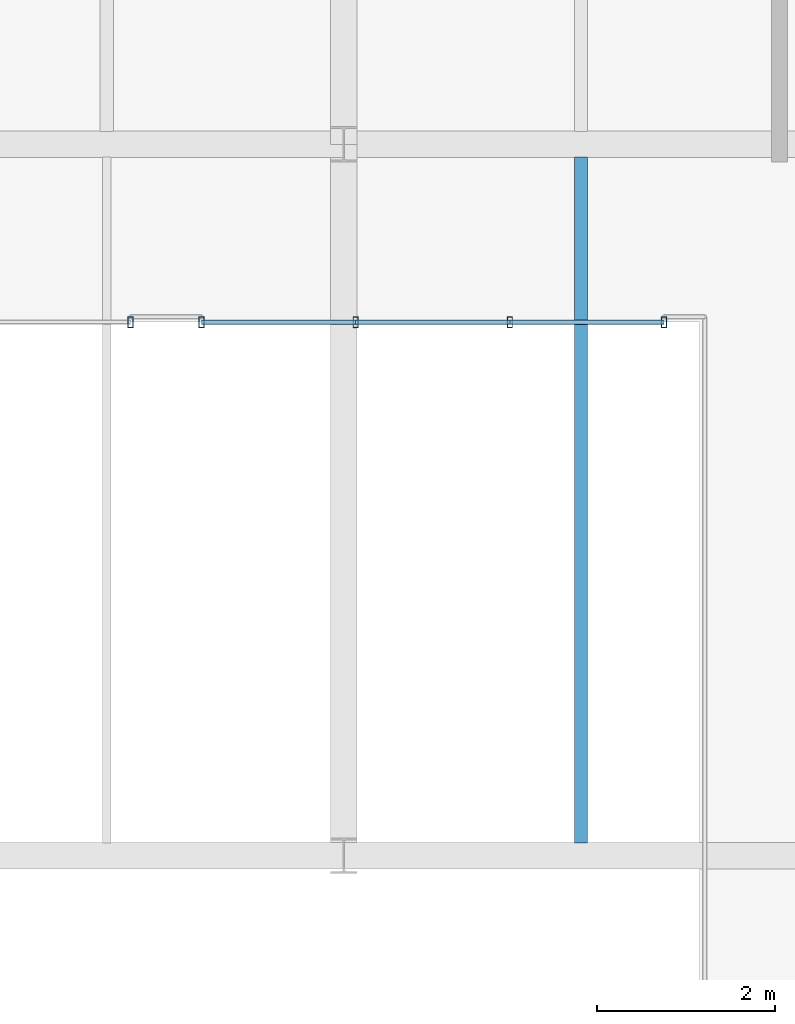
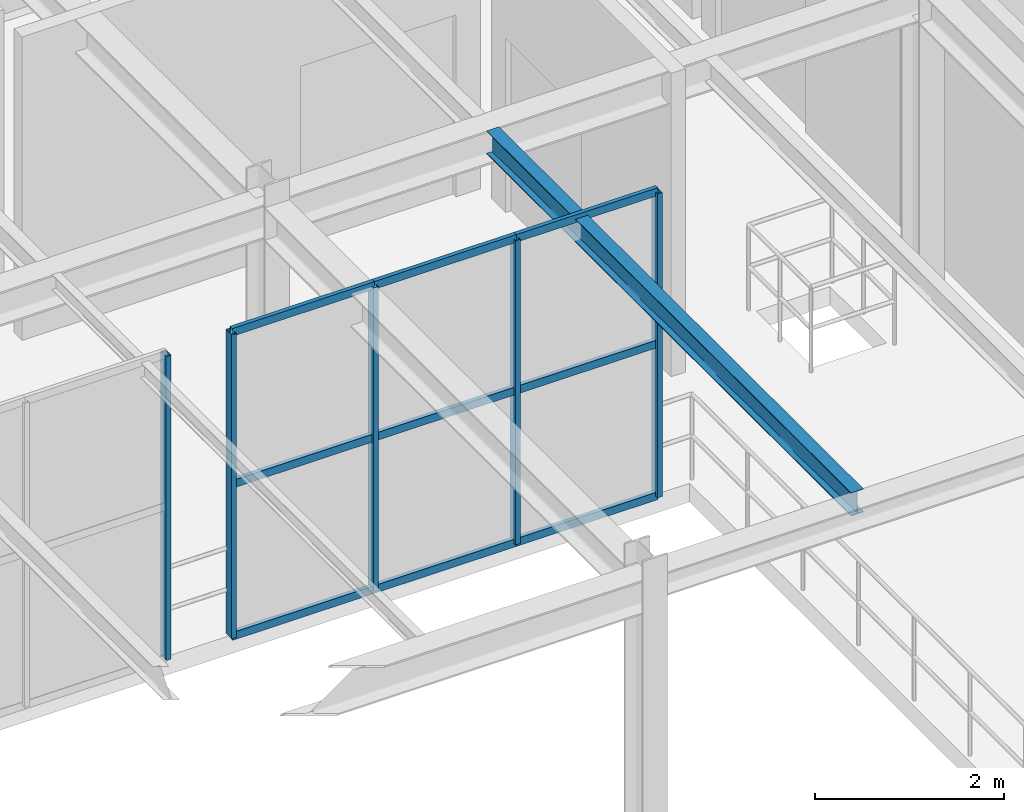
# One storey, part 29 of 67: 14 members, 1 beam, 2 elements without a shape of their own.
"""IFC4 building model written with IfcOpenShell, lengths in metres."""

from ifc_helpers import new_model, si_unit, direction, frame, origin, origin_2d, place, context, subcontext, project, spatial, hollow_rectangle, i_section, extrude, material, material_profile, profile_set, type_object, element, aggregate, save


model = new_model("IFC4")

# Units and contexts
model_context = context("Model", 3, precision=1e-05, world=origin(), true_north=direction((0.0, 1.0)))
body_context = subcontext(model_context, "Body", "Model", "MODEL_VIEW")
ifc_project = project(units=[si_unit("LENGTHUNIT", "METRE"), si_unit("AREAUNIT", "SQUARE_METRE"), si_unit("VOLUMEUNIT", "CUBIC_METRE"), si_unit("PLANEANGLEUNIT", "RADIAN"), si_unit("MASSUNIT", "GRAM", prefix="KILO")], contexts=[model_context])

# Site, building, storey
site_placement = place(None, origin())
site = spatial("IfcSite", under=ifc_project, at=site_placement, CompositionType="ELEMENT")
building_placement = place(site_placement, origin())
building = spatial("IfcBuilding", under=site, at=building_placement, Name="Sundkrona Museum", CompositionType="ELEMENT")
storey_placement = place(building_placement, frame((0.0, 0.0, 21.800048828125)))
storey = spatial("IfcBuildingStorey", under=building, at=storey_placement, Name="L04", CompositionType="ELEMENT", Elevation=21.800048828125)

# Beam
ifc_material_1 = material(Name="Steel S355J2", Category="steel")
ifc_material_profile_1 = material_profile(ifc_material_1, i_section(OverallWidth=0.14990234375, OverallDepth=0.300048828125, WebThickness=0.007080078125, FlangeThickness=0.0107421875, FilletRadius=0.014892578125, at=origin_2d()), Name="IPE 300")
ifc_profile_set_1 = profile_set([ifc_material_profile_1], Name="Steel S355J2")
beam_type = type_object("IfcBeamType", Name="J-IPE300", PredefinedType="JOIST", material=ifc_profile_set_1)
beam_placement = place(storey_placement, frame((146.666748046875, 24.14404296875, 3.77001953125), z_axis=(0.0, 1.0, 0.0), x_axis=(-1.0, 0.0, 0.0)))
element("IfcBeam", 1, at=beam_placement, inside=storey, type_object=beam_type, Name="L04 Composite Joist 1207", PredefinedType="JOIST", context=body_context, shape_type="SweptSolid", body=[
    extrude(i_section(OverallWidth=0.14990234375, OverallDepth=0.300048828125, WebThickness=0.007080078125, FlangeThickness=0.0107421875, FilletRadius=0.014892578125, at=origin_2d()), origin(), (0.0, 0.0, 1.0), 7.7119140625),
])

# Curtain wall, member
ifc_material_2 = material(Name="Unitised Aluminium-Steel and Ceramic-Clad Curtain Walling", Category="steel")
curtain_wall_type = type_object("IfcCurtainWallType", Name="CW-SC-52x38", PredefinedType="NOTDEFINED", material=ifc_material_2)
curtain_wall_1_placement = place(storey_placement, origin())
curtain_wall_1 = element("IfcCurtainWall", 2, at=curtain_wall_1_placement, inside=storey, type_object=curtain_wall_type, Name="L04 Curtain Wall CW-L04-014", PredefinedType="NOTDEFINED")
ifc_material_3 = material(Name="Aluminium EN AW-6060 T66", Category="aluminium")
ifc_material_profile_2 = material_profile(ifc_material_3, hollow_rectangle(XDim=0.06005859375, YDim=0.1201171875, WallThickness=0.0048828125, at=origin_2d()), Name="RHS 120x60x5.0")
ifc_profile_set_2 = profile_set([ifc_material_profile_2], Name="Aluminium EN AW-6060 T66")
member_type_1 = type_object("IfcMemberType", Name="ML-120", PredefinedType="MULLION", material=ifc_profile_set_2)
member_1_placement = place(storey_placement, frame((141.60009765625, 30.0, -0.004150390625), z_axis=(0.0, 0.0, 1.0), x_axis=(1.0, 0.0, 0.0)))
member_1 = element("IfcMember", 3, at=member_1_placement, type_object=member_type_1, Name="CW-L04-014 Mullion 04", PredefinedType="MULLION", context=body_context, shape_type="SweptSolid", body=[
    extrude(hollow_rectangle(XDim=0.06005859375, YDim=0.1201171875, WallThickness=0.0048828125, at=origin_2d()), origin(), (0.0, 0.0, 1.0), 3.92822265625),
])
aggregate(curtain_wall_1, [member_1])

# Curtain wall, members
curtain_wall_2_placement = place(storey_placement, origin())
curtain_wall_2 = element("IfcCurtainWall", 4, at=curtain_wall_2_placement, inside=storey, type_object=curtain_wall_type, Name="L04 Curtain Wall CW-L04-016", PredefinedType="NOTDEFINED")
member_2_placement = place(storey_placement, frame((142.39990234375, 30.0, -0.004150390625), z_axis=(0.0, 0.0, 1.0), x_axis=(1.0, 0.0, 0.0)))
member_2 = element("IfcMember", 5, at=member_2_placement, type_object=member_type_1, Name="CW-L04-016 Mullion 01", PredefinedType="MULLION", context=body_context, shape_type="SweptSolid", body=[
    extrude(hollow_rectangle(XDim=0.06005859375, YDim=0.1201171875, WallThickness=0.0048828125, at=origin_2d()), origin(), (0.0, 0.0, 1.0), 3.92822265625),
])
member_3_placement = place(storey_placement, frame((144.13330078125, 30.0, -0.004150390625), z_axis=(0.0, 0.0, 1.0), x_axis=(1.0, 0.0, 0.0)))
member_3 = element("IfcMember", 6, at=member_3_placement, type_object=member_type_1, Name="CW-L04-016 Mullion 02", PredefinedType="MULLION", context=body_context, shape_type="SweptSolid", body=[
    extrude(hollow_rectangle(XDim=0.06005859375, YDim=0.1201171875, WallThickness=0.0048828125, at=origin_2d()), origin(), (0.0, 0.0, 1.0), 3.92822265625),
])
member_4_placement = place(storey_placement, frame((145.86669921875, 30.0, -0.004150390625), z_axis=(0.0, 0.0, 1.0), x_axis=(1.0, 0.0, 0.0)))
member_4 = element("IfcMember", 7, at=member_4_placement, type_object=member_type_1, Name="CW-L04-016 Mullion 03", PredefinedType="MULLION", context=body_context, shape_type="SweptSolid", body=[
    extrude(hollow_rectangle(XDim=0.06005859375, YDim=0.1201171875, WallThickness=0.0048828125, at=origin_2d()), origin(), (0.0, 0.0, 1.0), 3.92822265625),
])
member_5_placement = place(storey_placement, frame((147.60009765625, 30.0, -0.004150390625), z_axis=(0.0, 0.0, 1.0), x_axis=(1.0, 0.0, 0.0)))
member_5 = element("IfcMember", 8, at=member_5_placement, type_object=member_type_1, Name="CW-L04-016 Mullion 04", PredefinedType="MULLION", context=body_context, shape_type="SweptSolid", body=[
    extrude(hollow_rectangle(XDim=0.06005859375, YDim=0.1201171875, WallThickness=0.0048828125, at=origin_2d()), origin(), (0.0, 0.0, 1.0), 3.92822265625),
])
ifc_material_profile_3 = material_profile(ifc_material_3, hollow_rectangle(XDim=0.050048828125, YDim=0.10009765625, WallThickness=0.0048828125, at=origin_2d()), Name="RHS 100x50x5.0")
ifc_profile_set_3 = profile_set([ifc_material_profile_3], Name="Aluminium EN AW-6060 T66")
member_type_2 = type_object("IfcMemberType", Name="TR-100", PredefinedType="USERDEFINED", material=ifc_profile_set_3)
member_6_placement = place(storey_placement, frame((142.39990234375, 30.0, -0.004150390625), z_axis=(1.0, 0.0, 0.0), x_axis=(0.0, 1.0, 0.0)))
member_6 = element("IfcMember", 9, at=member_6_placement, type_object=member_type_2, Name="CW-L04-016 Transom 01", ObjectType="TRANSOM", PredefinedType="USERDEFINED", context=body_context, shape_type="SweptSolid", body=[
    extrude(hollow_rectangle(XDim=0.050048828125, YDim=0.10009765625, WallThickness=0.0048828125, at=origin_2d()), origin(), (0.0, 0.0, 1.0), 1.7333984375),
])
member_7_placement = place(storey_placement, frame((142.39990234375, 30.0, 1.9599609375), z_axis=(1.0, 0.0, 0.0), x_axis=(0.0, 1.0, 0.0)))
member_7 = element("IfcMember", 10, at=member_7_placement, type_object=member_type_2, Name="CW-L04-016 Transom 02", ObjectType="TRANSOM", PredefinedType="USERDEFINED", context=body_context, shape_type="SweptSolid", body=[
    extrude(hollow_rectangle(XDim=0.050048828125, YDim=0.10009765625, WallThickness=0.0048828125, at=origin_2d()), origin(), (0.0, 0.0, 1.0), 1.7333984375),
])
member_8_placement = place(storey_placement, frame((142.39990234375, 30.0, 3.924072265625), z_axis=(1.0, 0.0, 0.0), x_axis=(0.0, 1.0, 0.0)))
member_8 = element("IfcMember", 11, at=member_8_placement, type_object=member_type_2, Name="CW-L04-016 Transom 03", ObjectType="TRANSOM", PredefinedType="USERDEFINED", context=body_context, shape_type="SweptSolid", body=[
    extrude(hollow_rectangle(XDim=0.050048828125, YDim=0.10009765625, WallThickness=0.0048828125, at=origin_2d()), origin(), (0.0, 0.0, 1.0), 1.7333984375),
])
member_9_placement = place(storey_placement, frame((144.13330078125, 30.0, -0.004150390625), z_axis=(1.0, 0.0, 0.0), x_axis=(0.0, 1.0, 0.0)))
member_9 = element("IfcMember", 12, at=member_9_placement, type_object=member_type_2, Name="CW-L04-016 Transom 04", ObjectType="TRANSOM", PredefinedType="USERDEFINED", context=body_context, shape_type="SweptSolid", body=[
    extrude(hollow_rectangle(XDim=0.050048828125, YDim=0.10009765625, WallThickness=0.0048828125, at=origin_2d()), origin(), (0.0, 0.0, 1.0), 1.7333984375),
])
member_10_placement = place(storey_placement, frame((144.13330078125, 30.0, 1.9599609375), z_axis=(1.0, 0.0, 0.0), x_axis=(0.0, 1.0, 0.0)))
member_10 = element("IfcMember", 13, at=member_10_placement, type_object=member_type_2, Name="CW-L04-016 Transom 05", ObjectType="TRANSOM", PredefinedType="USERDEFINED", context=body_context, shape_type="SweptSolid", body=[
    extrude(hollow_rectangle(XDim=0.050048828125, YDim=0.10009765625, WallThickness=0.0048828125, at=origin_2d()), origin(), (0.0, 0.0, 1.0), 1.7333984375),
])
member_11_placement = place(storey_placement, frame((144.13330078125, 30.0, 3.924072265625), z_axis=(1.0, 0.0, 0.0), x_axis=(0.0, 1.0, 0.0)))
member_11 = element("IfcMember", 14, at=member_11_placement, type_object=member_type_2, Name="CW-L04-016 Transom 06", ObjectType="TRANSOM", PredefinedType="USERDEFINED", context=body_context, shape_type="SweptSolid", body=[
    extrude(hollow_rectangle(XDim=0.050048828125, YDim=0.10009765625, WallThickness=0.0048828125, at=origin_2d()), origin(), (0.0, 0.0, 1.0), 1.7333984375),
])
member_12_placement = place(storey_placement, frame((145.86669921875, 30.0, -0.004150390625), z_axis=(1.0, 0.0, 0.0), x_axis=(0.0, 1.0, 0.0)))
member_12 = element("IfcMember", 15, at=member_12_placement, type_object=member_type_2, Name="CW-L04-016 Transom 07", ObjectType="TRANSOM", PredefinedType="USERDEFINED", context=body_context, shape_type="SweptSolid", body=[
    extrude(hollow_rectangle(XDim=0.050048828125, YDim=0.10009765625, WallThickness=0.0048828125, at=origin_2d()), origin(), (0.0, 0.0, 1.0), 1.7333984375),
])
member_13_placement = place(storey_placement, frame((145.86669921875, 30.0, 1.9599609375), z_axis=(1.0, 0.0, 0.0), x_axis=(0.0, 1.0, 0.0)))
member_13 = element("IfcMember", 16, at=member_13_placement, type_object=member_type_2, Name="CW-L04-016 Transom 08", ObjectType="TRANSOM", PredefinedType="USERDEFINED", context=body_context, shape_type="SweptSolid", body=[
    extrude(hollow_rectangle(XDim=0.050048828125, YDim=0.10009765625, WallThickness=0.0048828125, at=origin_2d()), origin(), (0.0, 0.0, 1.0), 1.7333984375),
])
member_14_placement = place(storey_placement, frame((145.86669921875, 30.0, 3.924072265625), z_axis=(1.0, 0.0, 0.0), x_axis=(0.0, 1.0, 0.0)))
member_14 = element("IfcMember", 17, at=member_14_placement, type_object=member_type_2, Name="CW-L04-016 Transom 09", ObjectType="TRANSOM", PredefinedType="USERDEFINED", context=body_context, shape_type="SweptSolid", body=[
    extrude(hollow_rectangle(XDim=0.050048828125, YDim=0.10009765625, WallThickness=0.0048828125, at=origin_2d()), origin(), (0.0, 0.0, 1.0), 1.7333984375),
])
aggregate(curtain_wall_2, [member_2, member_3, member_4, member_5, member_6, member_7, member_8, member_9, member_10, member_11, member_12, member_13, member_14])

save(model, "model.ifc")
